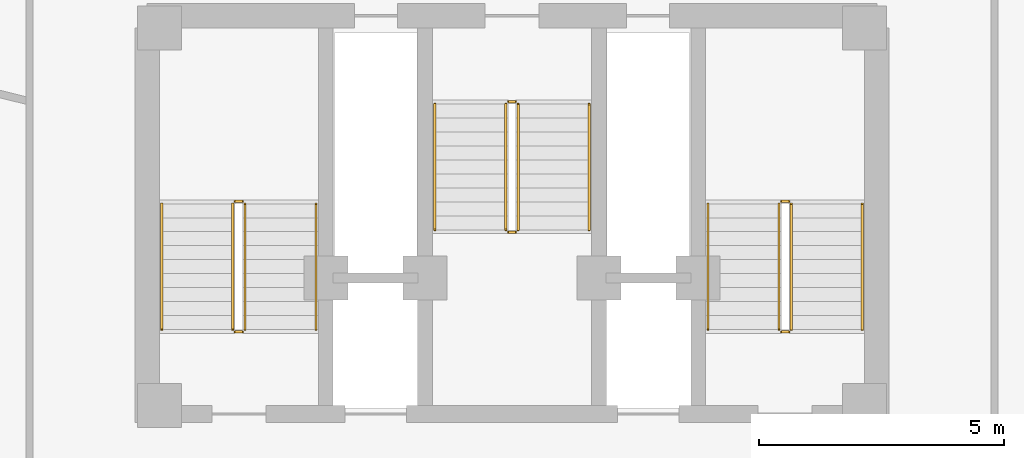
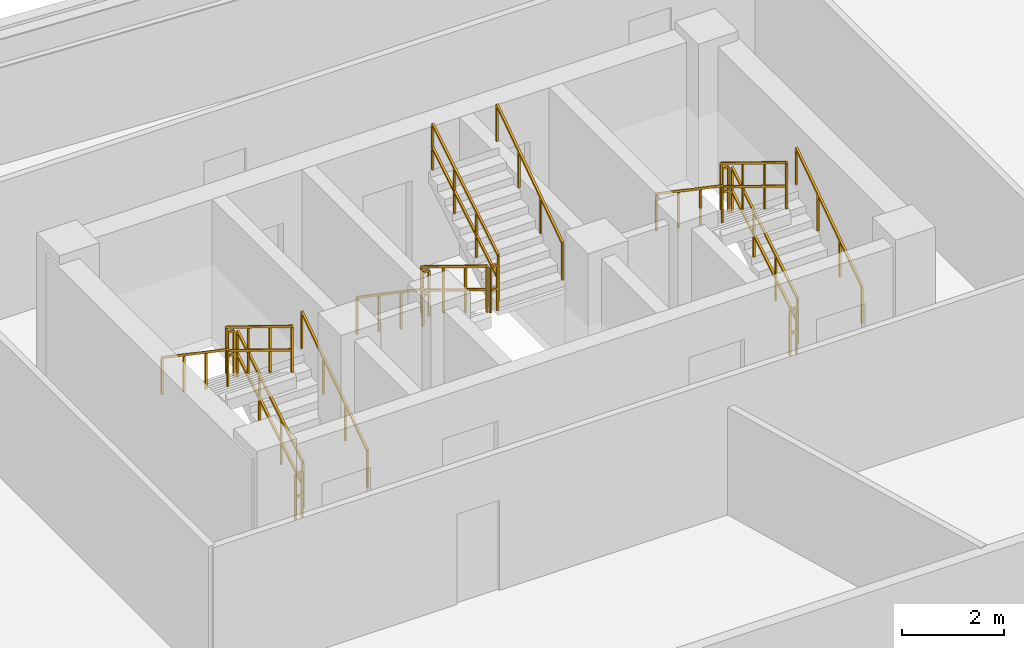
# One storey, part 5 of 5: 18 railings.
"""IFC4 building model written with IfcOpenShell, lengths in metres."""

from ifc_helpers import new_model, si_unit, direction, frame, origin, origin_2d, place, context, subcontext, project, spatial, rectangle, extrude, material, type_object, element, save


model = new_model("IFC4")

# Units and contexts
model_context = context("Model", 3, precision=1e-05, world=origin(), true_north=direction((0.0, 1.0)))
body_context = subcontext(model_context, "Body", "Model", "MODEL_VIEW")
ifc_project = project(units=[si_unit("LENGTHUNIT", "METRE"), si_unit("AREAUNIT", "SQUARE_METRE"), si_unit("VOLUMEUNIT", "CUBIC_METRE"), si_unit("PLANEANGLEUNIT", "RADIAN"), si_unit("MASSUNIT", "GRAM", prefix="KILO")], contexts=[model_context])

# Site, building, storey
site_placement = place(None, origin())
site = spatial("IfcSite", under=ifc_project, at=site_placement, CompositionType="ELEMENT")
building_placement = place(site_placement, origin())
building = spatial("IfcBuilding", under=site, at=building_placement, Name="Apsidion Concourse Tower", CompositionType="ELEMENT")
storey_placement = place(building_placement, frame((0.0, 0.0, 343.0)))
storey = spatial("IfcBuildingStorey", under=building, at=storey_placement, Name="L81", CompositionType="ELEMENT", Elevation=343.0)

# Railings
ifc_material = material(Name="Brushed stainless steel 316", Category="steel")
railing_type_1 = type_object("IfcRailingType", Name="RL-GUARD-1100", PredefinedType="GUARDRAIL", material=ifc_material)
railing_1_placement = place(storey_placement, frame((-5.449951171875, 3.0, 0.175048828125)))
element("IfcRailing", 1, at=railing_1_placement, inside=storey, type_object=railing_type_1, Name="L81 ST1 stair guard 1", PredefinedType="GUARDRAIL", context=body_context, shape_type="SweptSolid", body=[
    extrude(rectangle(XDim=0.048095703125, YDim=0.048095703125, at=origin_2d()), frame((0.0, 0.0, 1.09619140625), z_axis=(0.0, 0.852173129349, 0.523259933127), x_axis=(-1.0, 0.0, 0.0)), (0.0, 0.0, 1.0), 3.009765625),
    extrude(rectangle(XDim=0.048095703125, YDim=0.048095703125, at=origin_2d()), frame((0.0, 0.0, 0.5361328125), z_axis=(0.0, 0.852173129349, 0.523259933127), x_axis=(-1.0, 0.0, 0.0)), (0.0, 0.0, 1.0), 3.009765625),
    extrude(rectangle(XDim=0.0419921875, YDim=0.0419921875, at=origin_2d()), origin(), (0.0, 0.0, 1.0), 1.072021484375),
    extrude(rectangle(XDim=0.0419921875, YDim=0.0419921875, at=origin_2d()), frame((0.0, 0.85498046875, 0.52490234375)), (0.0, 0.0, 1.0), 1.072021484375),
    extrude(rectangle(XDim=0.0419921875, YDim=0.0419921875, at=origin_2d()), frame((0.0, 1.7099609375, 1.050048828125)), (0.0, 0.0, 1.0), 1.072021484375),
    extrude(rectangle(XDim=0.0419921875, YDim=0.0419921875, at=origin_2d()), frame((0.0, 2.56494140625, 1.574951171875)), (0.0, 0.0, 1.0), 1.072021484375),
])
railing_2_placement = place(storey_placement, frame((-5.5, 5.614990234375, 1.75)))
element("IfcRailing", 2, at=railing_2_placement, inside=storey, type_object=railing_type_1, Name="L81 ST1 stair guard 2", PredefinedType="GUARDRAIL", context=body_context, shape_type="SweptSolid", body=[
    extrude(rectangle(XDim=0.048095703125, YDim=0.048095703125, at=origin_2d()), frame((0.0, 0.0, 1.09619140625), z_axis=(-1.0, 0.0, 0.0), x_axis=(0.0, -1.0, 0.0)), (0.0, 0.0, 1.0), 0.14990234375),
    extrude(rectangle(XDim=0.048095703125, YDim=0.048095703125, at=origin_2d()), frame((0.0, 0.0, 0.5361328125), z_axis=(-1.0, 0.0, 0.0), x_axis=(0.0, -1.0, 0.0)), (0.0, 0.0, 1.0), 0.14990234375),
    extrude(rectangle(XDim=0.0419921875, YDim=0.0419921875, at=origin_2d()), origin(), (0.0, 0.0, 1.0), 1.072021484375),
    extrude(rectangle(XDim=0.0419921875, YDim=0.0419921875, at=origin_2d()), frame((-0.14990234375, 0.0, 0.0)), (0.0, 0.0, 1.0), 1.072021484375),
])
railing_3_placement = place(storey_placement, frame((-5.699951171875, 5.56494140625, 1.925048828125)))
element("IfcRailing", 3, at=railing_3_placement, inside=storey, type_object=railing_type_1, Name="L81 ST1 stair guard 3", PredefinedType="GUARDRAIL", context=body_context, shape_type="SweptSolid", body=[
    extrude(rectangle(XDim=0.048095703125, YDim=0.048095703125, at=origin_2d()), frame((0.0, 0.0, 1.09619140625), z_axis=(0.0, -0.852173129349, 0.523259933127), x_axis=(1.0, 0.0, 0.0)), (0.0, 0.0, 1.0), 3.009765625),
    extrude(rectangle(XDim=0.048095703125, YDim=0.048095703125, at=origin_2d()), frame((0.0, 0.0, 0.5361328125), z_axis=(0.0, -0.852173129349, 0.523259933127), x_axis=(1.0, 0.0, 0.0)), (0.0, 0.0, 1.0), 3.009765625),
    extrude(rectangle(XDim=0.0419921875, YDim=0.0419921875, at=origin_2d()), origin(), (0.0, 0.0, 1.0), 1.072021484375),
    extrude(rectangle(XDim=0.0419921875, YDim=0.0419921875, at=origin_2d()), frame((0.0, -0.85498046875, 0.52490234375)), (0.0, 0.0, 1.0), 1.072021484375),
    extrude(rectangle(XDim=0.0419921875, YDim=0.0419921875, at=origin_2d()), frame((0.0, -1.7099609375, 1.050048828125)), (0.0, 0.0, 1.0), 1.072021484375),
    extrude(rectangle(XDim=0.0419921875, YDim=0.0419921875, at=origin_2d()), frame((0.0, -2.56494140625, 1.574951171875)), (0.0, 0.0, 1.0), 1.072021484375),
])
railing_4_placement = place(storey_placement, frame((-5.5, 2.949951171875, 0.0)))
element("IfcRailing", 4, at=railing_4_placement, inside=storey, type_object=railing_type_1, Name="L81 ST1 stair guard 4", PredefinedType="GUARDRAIL", context=body_context, shape_type="SweptSolid", body=[
    extrude(rectangle(XDim=0.048095703125, YDim=0.048095703125, at=origin_2d()), frame((0.0, 0.0, 1.09619140625), z_axis=(-1.0, 0.0, 0.0), x_axis=(0.0, -1.0, 0.0)), (0.0, 0.0, 1.0), 0.14990234375),
    extrude(rectangle(XDim=0.048095703125, YDim=0.048095703125, at=origin_2d()), frame((0.0, 0.0, 0.5361328125), z_axis=(-1.0, 0.0, 0.0), x_axis=(0.0, -1.0, 0.0)), (0.0, 0.0, 1.0), 0.14990234375),
    extrude(rectangle(XDim=0.0419921875, YDim=0.0419921875, at=origin_2d()), origin(), (0.0, 0.0, 1.0), 1.072021484375),
    extrude(rectangle(XDim=0.0419921875, YDim=0.0419921875, at=origin_2d()), frame((-0.14990234375, 0.0, 0.0)), (0.0, 0.0, 1.0), 1.072021484375),
])
railing_5_placement = place(storey_placement, frame((5.699951171875, 3.0, 0.175048828125)))
element("IfcRailing", 5, at=railing_5_placement, inside=storey, type_object=railing_type_1, Name="L81 ST2 stair guard 1", PredefinedType="GUARDRAIL", context=body_context, shape_type="SweptSolid", body=[
    extrude(rectangle(XDim=0.048095703125, YDim=0.048095703125, at=origin_2d()), frame((0.0, 0.0, 1.09619140625), z_axis=(0.0, 0.852173129349, 0.523259933127), x_axis=(-1.0, 0.0, 0.0)), (0.0, 0.0, 1.0), 3.009765625),
    extrude(rectangle(XDim=0.048095703125, YDim=0.048095703125, at=origin_2d()), frame((0.0, 0.0, 0.5361328125), z_axis=(0.0, 0.852173129349, 0.523259933127), x_axis=(-1.0, 0.0, 0.0)), (0.0, 0.0, 1.0), 3.009765625),
    extrude(rectangle(XDim=0.0419921875, YDim=0.0419921875, at=origin_2d()), origin(), (0.0, 0.0, 1.0), 1.072021484375),
    extrude(rectangle(XDim=0.0419921875, YDim=0.0419921875, at=origin_2d()), frame((0.0, 0.85498046875, 0.52490234375)), (0.0, 0.0, 1.0), 1.072021484375),
    extrude(rectangle(XDim=0.0419921875, YDim=0.0419921875, at=origin_2d()), frame((0.0, 1.7099609375, 1.050048828125)), (0.0, 0.0, 1.0), 1.072021484375),
    extrude(rectangle(XDim=0.0419921875, YDim=0.0419921875, at=origin_2d()), frame((0.0, 2.56494140625, 1.574951171875)), (0.0, 0.0, 1.0), 1.072021484375),
])
railing_6_placement = place(storey_placement, frame((5.64990234375, 5.614990234375, 1.75)))
element("IfcRailing", 6, at=railing_6_placement, inside=storey, type_object=railing_type_1, Name="L81 ST2 stair guard 2", PredefinedType="GUARDRAIL", context=body_context, shape_type="SweptSolid", body=[
    extrude(rectangle(XDim=0.048095703125, YDim=0.048095703125, at=origin_2d()), frame((0.0, 0.0, 1.09619140625), z_axis=(-1.0, 0.0, 0.0), x_axis=(0.0, -1.0, 0.0)), (0.0, 0.0, 1.0), 0.14990234375),
    extrude(rectangle(XDim=0.048095703125, YDim=0.048095703125, at=origin_2d()), frame((0.0, 0.0, 0.5361328125), z_axis=(-1.0, 0.0, 0.0), x_axis=(0.0, -1.0, 0.0)), (0.0, 0.0, 1.0), 0.14990234375),
    extrude(rectangle(XDim=0.0419921875, YDim=0.0419921875, at=origin_2d()), origin(), (0.0, 0.0, 1.0), 1.072021484375),
    extrude(rectangle(XDim=0.0419921875, YDim=0.0419921875, at=origin_2d()), frame((-0.14990234375, 0.0, 0.0)), (0.0, 0.0, 1.0), 1.072021484375),
])
railing_7_placement = place(storey_placement, frame((5.449951171875, 5.56494140625, 1.925048828125)))
element("IfcRailing", 7, at=railing_7_placement, inside=storey, type_object=railing_type_1, Name="L81 ST2 stair guard 3", PredefinedType="GUARDRAIL", context=body_context, shape_type="SweptSolid", body=[
    extrude(rectangle(XDim=0.048095703125, YDim=0.048095703125, at=origin_2d()), frame((0.0, 0.0, 1.09619140625), z_axis=(0.0, -0.852173129349, 0.523259933127), x_axis=(1.0, 0.0, 0.0)), (0.0, 0.0, 1.0), 3.009765625),
    extrude(rectangle(XDim=0.048095703125, YDim=0.048095703125, at=origin_2d()), frame((0.0, 0.0, 0.5361328125), z_axis=(0.0, -0.852173129349, 0.523259933127), x_axis=(1.0, 0.0, 0.0)), (0.0, 0.0, 1.0), 3.009765625),
    extrude(rectangle(XDim=0.0419921875, YDim=0.0419921875, at=origin_2d()), origin(), (0.0, 0.0, 1.0), 1.072021484375),
    extrude(rectangle(XDim=0.0419921875, YDim=0.0419921875, at=origin_2d()), frame((0.0, -0.85498046875, 0.52490234375)), (0.0, 0.0, 1.0), 1.072021484375),
    extrude(rectangle(XDim=0.0419921875, YDim=0.0419921875, at=origin_2d()), frame((0.0, -1.7099609375, 1.050048828125)), (0.0, 0.0, 1.0), 1.072021484375),
    extrude(rectangle(XDim=0.0419921875, YDim=0.0419921875, at=origin_2d()), frame((0.0, -2.56494140625, 1.574951171875)), (0.0, 0.0, 1.0), 1.072021484375),
])
railing_8_placement = place(storey_placement, frame((5.64990234375, 2.949951171875, 0.0)))
element("IfcRailing", 8, at=railing_8_placement, inside=storey, type_object=railing_type_1, Name="L81 ST2 stair guard 4", PredefinedType="GUARDRAIL", context=body_context, shape_type="SweptSolid", body=[
    extrude(rectangle(XDim=0.048095703125, YDim=0.048095703125, at=origin_2d()), frame((0.0, 0.0, 1.09619140625), z_axis=(-1.0, 0.0, 0.0), x_axis=(0.0, -1.0, 0.0)), (0.0, 0.0, 1.0), 0.14990234375),
    extrude(rectangle(XDim=0.048095703125, YDim=0.048095703125, at=origin_2d()), frame((0.0, 0.0, 0.5361328125), z_axis=(-1.0, 0.0, 0.0), x_axis=(0.0, -1.0, 0.0)), (0.0, 0.0, 1.0), 0.14990234375),
    extrude(rectangle(XDim=0.0419921875, YDim=0.0419921875, at=origin_2d()), origin(), (0.0, 0.0, 1.0), 1.072021484375),
    extrude(rectangle(XDim=0.0419921875, YDim=0.0419921875, at=origin_2d()), frame((-0.14990234375, 0.0, 0.0)), (0.0, 0.0, 1.0), 1.072021484375),
])
railing_9_placement = place(storey_placement, frame((-0.125, 7.60009765625, 0.175048828125)))
element("IfcRailing", 9, at=railing_9_placement, inside=storey, type_object=railing_type_1, Name="L81 ST3 stair guard 1", PredefinedType="GUARDRAIL", context=body_context, shape_type="SweptSolid", body=[
    extrude(rectangle(XDim=0.048095703125, YDim=0.048095703125, at=origin_2d()), frame((0.0, 0.0, 1.09619140625), z_axis=(0.0, -0.852195335862, 0.523223766217), x_axis=(1.0, 0.0, 0.0)), (0.0, 0.0, 1.0), 3.010009765625),
    extrude(rectangle(XDim=0.048095703125, YDim=0.048095703125, at=origin_2d()), frame((0.0, 0.0, 0.5361328125), z_axis=(0.0, -0.852195335862, 0.523223766217), x_axis=(1.0, 0.0, 0.0)), (0.0, 0.0, 1.0), 3.010009765625),
    extrude(rectangle(XDim=0.0419921875, YDim=0.0419921875, at=origin_2d()), origin(), (0.0, 0.0, 1.0), 1.072021484375),
    extrude(rectangle(XDim=0.0419921875, YDim=0.0419921875, at=origin_2d()), frame((0.0, -0.85498046875, 0.52490234375)), (0.0, 0.0, 1.0), 1.072021484375),
    extrude(rectangle(XDim=0.0419921875, YDim=0.0419921875, at=origin_2d()), frame((0.0, -1.710205078125, 1.050048828125)), (0.0, 0.0, 1.0), 1.072021484375),
    extrude(rectangle(XDim=0.0419921875, YDim=0.0419921875, at=origin_2d()), frame((0.0, -2.565185546875, 1.574951171875)), (0.0, 0.0, 1.0), 1.072021484375),
])
railing_10_placement = place(storey_placement, frame((-0.074951171875, 4.985107421875, 1.75)))
element("IfcRailing", 10, at=railing_10_placement, inside=storey, type_object=railing_type_1, Name="L81 ST3 stair guard 2", PredefinedType="GUARDRAIL", context=body_context, shape_type="SweptSolid", body=[
    extrude(rectangle(XDim=0.048095703125, YDim=0.048095703125, at=origin_2d()), frame((0.0, 0.0, 1.09619140625), z_axis=(1.0, 0.0, 0.0), x_axis=(0.0, 1.0, 0.0)), (0.0, 0.0, 1.0), 0.14990234375),
    extrude(rectangle(XDim=0.048095703125, YDim=0.048095703125, at=origin_2d()), frame((0.0, 0.0, 0.5361328125), z_axis=(1.0, 0.0, 0.0), x_axis=(0.0, 1.0, 0.0)), (0.0, 0.0, 1.0), 0.14990234375),
    extrude(rectangle(XDim=0.0419921875, YDim=0.0419921875, at=origin_2d()), origin(), (0.0, 0.0, 1.0), 1.072021484375),
    extrude(rectangle(XDim=0.0419921875, YDim=0.0419921875, at=origin_2d()), frame((0.14990234375, 0.0, 0.0)), (0.0, 0.0, 1.0), 1.072021484375),
])
railing_11_placement = place(storey_placement, frame((0.125, 5.034912109375, 1.925048828125)))
element("IfcRailing", 11, at=railing_11_placement, inside=storey, type_object=railing_type_1, Name="L81 ST3 stair guard 3", PredefinedType="GUARDRAIL", context=body_context, shape_type="SweptSolid", body=[
    extrude(rectangle(XDim=0.048095703125, YDim=0.048095703125, at=origin_2d()), frame((0.0, 0.0, 1.09619140625), z_axis=(0.0, 0.852195335862, 0.523223766217), x_axis=(-1.0, 0.0, 0.0)), (0.0, 0.0, 1.0), 3.010009765625),
    extrude(rectangle(XDim=0.048095703125, YDim=0.048095703125, at=origin_2d()), frame((0.0, 0.0, 0.5361328125), z_axis=(0.0, 0.852195335862, 0.523223766217), x_axis=(-1.0, 0.0, 0.0)), (0.0, 0.0, 1.0), 3.010009765625),
    extrude(rectangle(XDim=0.0419921875, YDim=0.0419921875, at=origin_2d()), origin(), (0.0, 0.0, 1.0), 1.072021484375),
    extrude(rectangle(XDim=0.0419921875, YDim=0.0419921875, at=origin_2d()), frame((0.0, 0.85498046875, 0.52490234375)), (0.0, 0.0, 1.0), 1.072021484375),
    extrude(rectangle(XDim=0.0419921875, YDim=0.0419921875, at=origin_2d()), frame((0.0, 1.710205078125, 1.050048828125)), (0.0, 0.0, 1.0), 1.072021484375),
    extrude(rectangle(XDim=0.0419921875, YDim=0.0419921875, at=origin_2d()), frame((0.0, 2.565185546875, 1.574951171875)), (0.0, 0.0, 1.0), 1.072021484375),
])
railing_12_placement = place(storey_placement, frame((-0.074951171875, 7.64990234375, 0.0)))
element("IfcRailing", 12, at=railing_12_placement, inside=storey, type_object=railing_type_1, Name="L81 ST3 stair guard 4", PredefinedType="GUARDRAIL", context=body_context, shape_type="SweptSolid", body=[
    extrude(rectangle(XDim=0.048095703125, YDim=0.048095703125, at=origin_2d()), frame((0.0, 0.0, 1.09619140625), z_axis=(1.0, 0.0, 0.0), x_axis=(0.0, 1.0, 0.0)), (0.0, 0.0, 1.0), 0.14990234375),
    extrude(rectangle(XDim=0.048095703125, YDim=0.048095703125, at=origin_2d()), frame((0.0, 0.0, 0.5361328125), z_axis=(1.0, 0.0, 0.0), x_axis=(0.0, 1.0, 0.0)), (0.0, 0.0, 1.0), 0.14990234375),
    extrude(rectangle(XDim=0.0419921875, YDim=0.0419921875, at=origin_2d()), origin(), (0.0, 0.0, 1.0), 1.072021484375),
    extrude(rectangle(XDim=0.0419921875, YDim=0.0419921875, at=origin_2d()), frame((0.14990234375, 0.0, 0.0)), (0.0, 0.0, 1.0), 1.072021484375),
])
railing_type_2 = type_object("IfcRailingType", Name="RL-HAND-900", PredefinedType="HANDRAIL", material=ifc_material)
railing_13_placement = place(storey_placement, frame((-4.0, 3.0, 0.175048828125)))
element("IfcRailing", 13, at=railing_13_placement, inside=storey, type_object=railing_type_2, Name="L81 ST1 stair handrail 1", PredefinedType="HANDRAIL", context=body_context, shape_type="SweptSolid", body=[
    extrude(rectangle(XDim=0.048095703125, YDim=0.048095703125, at=origin_2d()), frame((0.0, 0.0, 0.8759765625), z_axis=(0.0, 0.826050974716, 0.563595410885), x_axis=(-1.0, 0.0, 0.0)), (0.0, 0.0, 1.0), 3.10498046875),
    extrude(rectangle(XDim=0.0419921875, YDim=0.0419921875, at=origin_2d()), origin(), (0.0, 0.0, 1.0), 0.851806640625),
    extrude(rectangle(XDim=0.0419921875, YDim=0.0419921875, at=origin_2d()), frame((0.0, 0.85498046875, 0.583251953125)), (0.0, 0.0, 1.0), 0.851806640625),
    extrude(rectangle(XDim=0.0419921875, YDim=0.0419921875, at=origin_2d()), frame((0.0, 1.7099609375, 1.166748046875)), (0.0, 0.0, 1.0), 0.851806640625),
    extrude(rectangle(XDim=0.0419921875, YDim=0.0419921875, at=origin_2d()), frame((0.0, 2.56494140625, 1.75)), (0.0, 0.0, 1.0), 0.851806640625),
])
railing_14_placement = place(storey_placement, frame((-7.14990234375, 5.56494140625, 1.925048828125)))
element("IfcRailing", 14, at=railing_14_placement, inside=storey, type_object=railing_type_2, Name="L81 ST1 stair handrail 2", PredefinedType="HANDRAIL", context=body_context, shape_type="SweptSolid", body=[
    extrude(rectangle(XDim=0.048095703125, YDim=0.048095703125, at=origin_2d()), frame((0.0, 0.0, 0.8759765625), z_axis=(0.0, -0.826050974716, 0.563595410885), x_axis=(1.0, 0.0, 0.0)), (0.0, 0.0, 1.0), 3.10498046875),
    extrude(rectangle(XDim=0.0419921875, YDim=0.0419921875, at=origin_2d()), origin(), (0.0, 0.0, 1.0), 0.851806640625),
    extrude(rectangle(XDim=0.0419921875, YDim=0.0419921875, at=origin_2d()), frame((0.0, -0.85498046875, 0.583251953125)), (0.0, 0.0, 1.0), 0.851806640625),
    extrude(rectangle(XDim=0.0419921875, YDim=0.0419921875, at=origin_2d()), frame((0.0, -1.7099609375, 1.166748046875)), (0.0, 0.0, 1.0), 0.851806640625),
    extrude(rectangle(XDim=0.0419921875, YDim=0.0419921875, at=origin_2d()), frame((0.0, -2.56494140625, 1.75)), (0.0, 0.0, 1.0), 0.851806640625),
])
railing_15_placement = place(storey_placement, frame((7.14990234375, 3.0, 0.175048828125)))
element("IfcRailing", 15, at=railing_15_placement, inside=storey, type_object=railing_type_2, Name="L81 ST2 stair handrail 1", PredefinedType="HANDRAIL", context=body_context, shape_type="SweptSolid", body=[
    extrude(rectangle(XDim=0.048095703125, YDim=0.048095703125, at=origin_2d()), frame((0.0, 0.0, 0.8759765625), z_axis=(0.0, 0.826050974716, 0.563595410885), x_axis=(-1.0, 0.0, 0.0)), (0.0, 0.0, 1.0), 3.10498046875),
    extrude(rectangle(XDim=0.0419921875, YDim=0.0419921875, at=origin_2d()), origin(), (0.0, 0.0, 1.0), 0.851806640625),
    extrude(rectangle(XDim=0.0419921875, YDim=0.0419921875, at=origin_2d()), frame((0.0, 0.85498046875, 0.583251953125)), (0.0, 0.0, 1.0), 0.851806640625),
    extrude(rectangle(XDim=0.0419921875, YDim=0.0419921875, at=origin_2d()), frame((0.0, 1.7099609375, 1.166748046875)), (0.0, 0.0, 1.0), 0.851806640625),
    extrude(rectangle(XDim=0.0419921875, YDim=0.0419921875, at=origin_2d()), frame((0.0, 2.56494140625, 1.75)), (0.0, 0.0, 1.0), 0.851806640625),
])
railing_16_placement = place(storey_placement, frame((4.0, 5.56494140625, 1.925048828125)))
element("IfcRailing", 16, at=railing_16_placement, inside=storey, type_object=railing_type_2, Name="L81 ST2 stair handrail 2", PredefinedType="HANDRAIL", context=body_context, shape_type="SweptSolid", body=[
    extrude(rectangle(XDim=0.048095703125, YDim=0.048095703125, at=origin_2d()), frame((0.0, 0.0, 0.8759765625), z_axis=(0.0, -0.826050974716, 0.563595410885), x_axis=(1.0, 0.0, 0.0)), (0.0, 0.0, 1.0), 3.10498046875),
    extrude(rectangle(XDim=0.0419921875, YDim=0.0419921875, at=origin_2d()), origin(), (0.0, 0.0, 1.0), 0.851806640625),
    extrude(rectangle(XDim=0.0419921875, YDim=0.0419921875, at=origin_2d()), frame((0.0, -0.85498046875, 0.583251953125)), (0.0, 0.0, 1.0), 0.851806640625),
    extrude(rectangle(XDim=0.0419921875, YDim=0.0419921875, at=origin_2d()), frame((0.0, -1.7099609375, 1.166748046875)), (0.0, 0.0, 1.0), 0.851806640625),
    extrude(rectangle(XDim=0.0419921875, YDim=0.0419921875, at=origin_2d()), frame((0.0, -2.56494140625, 1.75)), (0.0, 0.0, 1.0), 0.851806640625),
])
railing_17_placement = place(storey_placement, frame((-1.574951171875, 7.60009765625, 0.175048828125)))
element("IfcRailing", 17, at=railing_17_placement, inside=storey, type_object=railing_type_2, Name="L81 ST3 stair handrail 1", PredefinedType="HANDRAIL", context=body_context, shape_type="SweptSolid", body=[
    extrude(rectangle(XDim=0.048095703125, YDim=0.048095703125, at=origin_2d()), frame((0.0, 0.0, 0.8759765625), z_axis=(0.0, -0.826075947217, 0.563558807428), x_axis=(1.0, 0.0, 0.0)), (0.0, 0.0, 1.0), 3.105224609375),
    extrude(rectangle(XDim=0.0419921875, YDim=0.0419921875, at=origin_2d()), origin(), (0.0, 0.0, 1.0), 0.851806640625),
    extrude(rectangle(XDim=0.0419921875, YDim=0.0419921875, at=origin_2d()), frame((0.0, -0.85498046875, 0.583251953125)), (0.0, 0.0, 1.0), 0.851806640625),
    extrude(rectangle(XDim=0.0419921875, YDim=0.0419921875, at=origin_2d()), frame((0.0, -1.710205078125, 1.166748046875)), (0.0, 0.0, 1.0), 0.851806640625),
    extrude(rectangle(XDim=0.0419921875, YDim=0.0419921875, at=origin_2d()), frame((0.0, -2.565185546875, 1.75)), (0.0, 0.0, 1.0), 0.851806640625),
])
railing_18_placement = place(storey_placement, frame((1.574951171875, 5.034912109375, 1.925048828125)))
element("IfcRailing", 18, at=railing_18_placement, inside=storey, type_object=railing_type_2, Name="L81 ST3 stair handrail 2", PredefinedType="HANDRAIL", context=body_context, shape_type="SweptSolid", body=[
    extrude(rectangle(XDim=0.048095703125, YDim=0.048095703125, at=origin_2d()), frame((0.0, 0.0, 0.8759765625), z_axis=(0.0, 0.826075947217, 0.563558807428), x_axis=(-1.0, 0.0, 0.0)), (0.0, 0.0, 1.0), 3.105224609375),
    extrude(rectangle(XDim=0.0419921875, YDim=0.0419921875, at=origin_2d()), origin(), (0.0, 0.0, 1.0), 0.851806640625),
    extrude(rectangle(XDim=0.0419921875, YDim=0.0419921875, at=origin_2d()), frame((0.0, 0.85498046875, 0.583251953125)), (0.0, 0.0, 1.0), 0.851806640625),
    extrude(rectangle(XDim=0.0419921875, YDim=0.0419921875, at=origin_2d()), frame((0.0, 1.710205078125, 1.166748046875)), (0.0, 0.0, 1.0), 0.851806640625),
    extrude(rectangle(XDim=0.0419921875, YDim=0.0419921875, at=origin_2d()), frame((0.0, 2.565185546875, 1.75)), (0.0, 0.0, 1.0), 0.851806640625),
])

save(model, "model.ifc")
